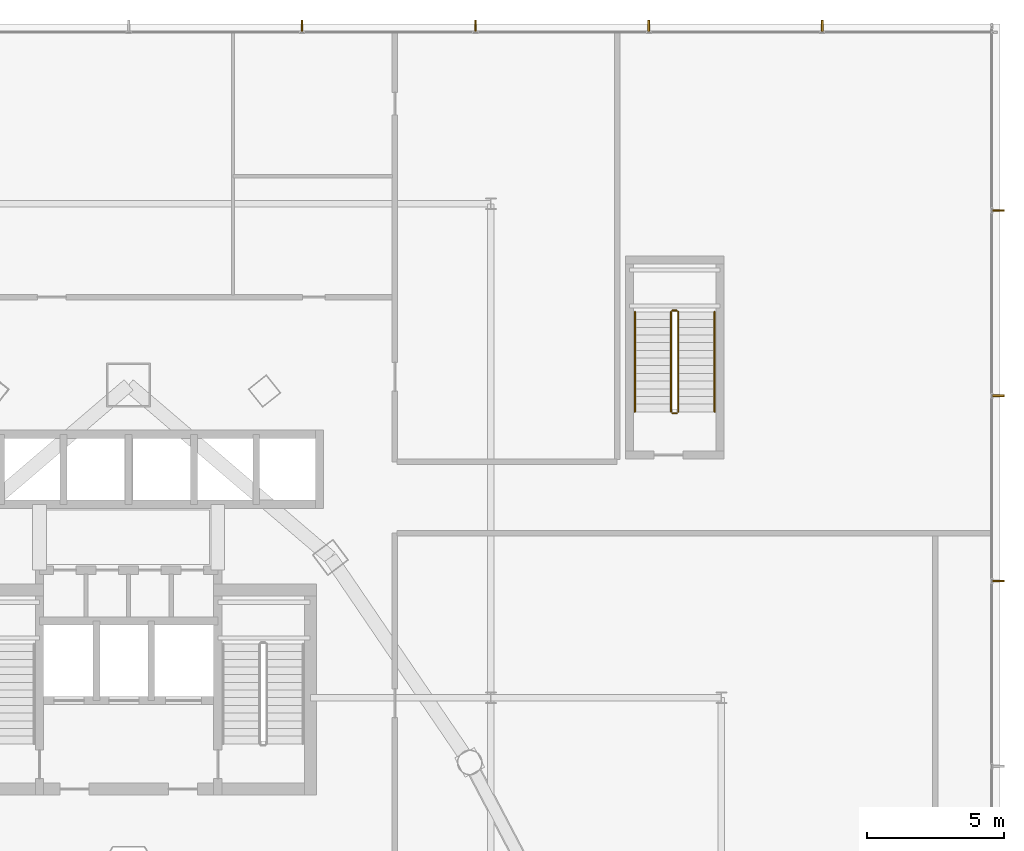
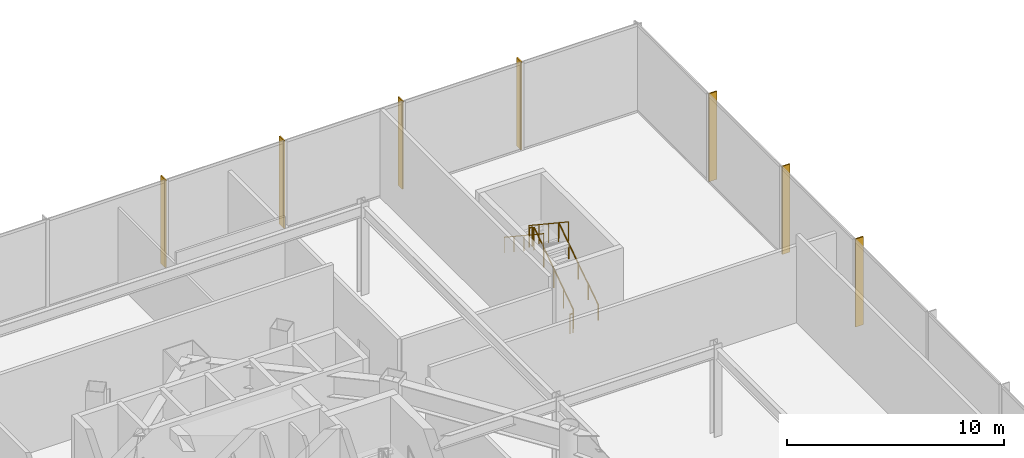
# One storey, part 43 of 43: 7 shading devices, 6 railings.
"""IFC4 building model written with IfcOpenShell, lengths in metres."""

from ifc_helpers import new_model, si_unit, direction, frame, origin, origin_2d, place, context, subcontext, project, spatial, rectangle, circle, extrude, material, layer, layer_set, type_object, element, save


model = new_model("IFC4")

# Units and contexts
model_context = context("Model", 3, precision=1e-05, world=origin(), true_north=direction((0.0, 1.0)))
body_context = subcontext(model_context, "Body", "Model", "MODEL_VIEW")
ifc_project = project(units=[si_unit("LENGTHUNIT", "METRE"), si_unit("AREAUNIT", "SQUARE_METRE"), si_unit("VOLUMEUNIT", "CUBIC_METRE"), si_unit("PLANEANGLEUNIT", "RADIAN"), si_unit("MASSUNIT", "GRAM", prefix="KILO")], contexts=[model_context])

# Site, building, storey
site_placement = place(None, origin())
site = spatial("IfcSite", under=ifc_project, at=site_placement, CompositionType="ELEMENT")
building_placement = place(site_placement, origin())
building = spatial("IfcBuilding", under=site, at=building_placement, Name="Orvanel Arch Residences", CompositionType="ELEMENT")
storey_placement = place(building_placement, frame((0.0, 0.0, 18.39990234375)))
storey = spatial("IfcBuildingStorey", under=building, at=storey_placement, Name="L04", CompositionType="ELEMENT", Elevation=18.39990234375)

# Shading devices
ifc_material_1 = material(Name="Bronze-anodised aluminium AA6063-T6", Category="aluminium")
ifc_layer = layer(ifc_material_1, 0.06494140625)
ifc_layer_set = layer_set([ifc_layer], Name="Bronze-anodised aluminium AA6063-T6")
shading_device_type = type_object("IfcShadingDeviceType", Name="FIN-BRZ-420", PredefinedType="USERDEFINED", material=ifc_layer_set)
for number, where, z_axis, x_axis, name in (
    (1, (58.27197265625, 54.489013671875, 0.0), (0.0, 0.0, 1.0), (0.0, 1.0, 0.0), "L04 Anodised Bronze Mullion FIN 01"),
    (2, (51.9541015625, 54.489013671875, 0.0), (0.0, 0.0, 1.0), (0.0, 1.0, 0.0), "L04 Anodised Bronze Mullion FIN 02"),
    (3, (45.635986328125, 54.489013671875, 0.0), (0.0, 0.0, 1.0), (0.0, 1.0, 0.0), "L04 Anodised Bronze Mullion FIN 03"),
    (4, (39.318115234375, 54.489013671875, 0.0), (0.0, 0.0, 1.0), (0.0, 1.0, 0.0), "L04 Anodised Bronze Mullion FIN 04"),
    (5, (64.68994140625, 34.251953125, 0.0), (0.0, 0.0, 1.0), (1.0, 0.0, 0.0), "L04 Anodised Bronze Mullion FIN 05"),
    (6, (64.68994140625, 41.0048828125, 0.0), (0.0, 0.0, 1.0), (1.0, 0.0, 0.0), "L04 Anodised Bronze Mullion FIN 06"),
    (7, (64.68994140625, 47.758056640625, 0.0), (0.0, 0.0, 1.0), (1.0, 0.0, 0.0), "L04 Anodised Bronze Mullion FIN 07"),
):
    element("IfcShadingDevice", number, at=place(storey_placement, frame(where, z_axis=z_axis, x_axis=x_axis)), inside=storey, type_object=shading_device_type, Name=name, ObjectType="FIN", PredefinedType="USERDEFINED", context=body_context, shape_type="SweptSolid", body=[
        extrude(rectangle(XDim=0.419921875, YDim=0.06494140625, at=origin_2d()), origin(), (0.0, 0.0, 1.0), 4.9599609375),
    ])

# Railings
ifc_material_2 = material(Name="Structural steel AS/NZS 1163 C350L0 (Grade 350)", Category="steel")
railing_type_1 = type_object("IfcRailingType", Name="RL-STAIR-GUARD", PredefinedType="GUARDRAIL", material=ifc_material_2)
railing_1_placement = place(storey_placement, frame((53.030029296875, 40.419921875, 0.185791015625)))
element("IfcRailing", 8, at=railing_1_placement, inside=storey, type_object=railing_type_1, Name="L04 ST-4 stair guard 1", PredefinedType="GUARDRAIL", context=body_context, shape_type="SweptSolid", body=[
    extrude(circle(Radius=0.02392578125, at=origin_2d()), frame((0.0, 0.001220703125, 1.076904296875), z_axis=(0.0, 0.833363587613, 0.552725185641), x_axis=(-1.0, 0.0, 0.0)), (0.0, 0.0, 1.0), 4.364990234375),
    extrude(circle(Radius=0.02099609375, at=origin_2d()), origin(), (0.0, 0.0, 1.0), 1.050048828125),
    extrude(circle(Radius=0.02099609375, at=origin_2d()), frame((0.0, 0.91015625, 0.603515625)), (0.0, 0.0, 1.0), 1.050048828125),
    extrude(circle(Radius=0.02099609375, at=origin_2d()), frame((0.0, 1.820068359375, 1.20703125)), (0.0, 0.0, 1.0), 1.050048828125),
    extrude(circle(Radius=0.02099609375, at=origin_2d()), frame((0.0, 2.72998046875, 1.810791015625)), (0.0, 0.0, 1.0), 1.050048828125),
    extrude(circle(Radius=0.02099609375, at=origin_2d()), frame((0.0, 3.64013671875, 2.414306640625)), (0.0, 0.0, 1.0), 1.050048828125),
])
railing_2_placement = place(storey_placement, frame((52.97998046875, 44.110107421875, 2.60009765625)))
element("IfcRailing", 9, at=railing_2_placement, inside=storey, type_object=railing_type_1, Name="L04 ST-4 stair guard 2", PredefinedType="GUARDRAIL", context=body_context, shape_type="SweptSolid", body=[
    extrude(circle(Radius=0.02392578125, at=origin_2d()), frame((-0.00146484375, 0.0, 1.076171875), z_axis=(-1.0, 0.0, 0.0), x_axis=(0.0, -1.0, 0.0)), (0.0, 0.0, 1.0), 0.156982421875),
    extrude(circle(Radius=0.02099609375, at=origin_2d()), origin(), (0.0, 0.0, 1.0), 1.050048828125),
    extrude(circle(Radius=0.02099609375, at=origin_2d()), frame((-0.159912109375, 0.0, 0.0)), (0.0, 0.0, 1.0), 1.050048828125),
])
railing_3_placement = place(storey_placement, frame((52.77001953125, 44.06005859375, 2.785888671875)))
element("IfcRailing", 10, at=railing_3_placement, inside=storey, type_object=railing_type_1, Name="L04 ST-4 stair guard 3", PredefinedType="GUARDRAIL", context=body_context, shape_type="SweptSolid", body=[
    extrude(circle(Radius=0.02392578125, at=origin_2d()), frame((0.0, -0.001220703125, 1.076904296875), z_axis=(0.0, -0.833363587613, 0.552725185641), x_axis=(1.0, 0.0, 0.0)), (0.0, 0.0, 1.0), 4.364990234375),
    extrude(circle(Radius=0.02099609375, at=origin_2d()), origin(), (0.0, 0.0, 1.0), 1.050048828125),
    extrude(circle(Radius=0.02099609375, at=origin_2d()), frame((0.0, -0.91015625, 0.603515625)), (0.0, 0.0, 1.0), 1.050048828125),
    extrude(circle(Radius=0.02099609375, at=origin_2d()), frame((0.0, -1.820068359375, 1.20703125)), (0.0, 0.0, 1.0), 1.050048828125),
    extrude(circle(Radius=0.02099609375, at=origin_2d()), frame((0.0, -2.72998046875, 1.810791015625)), (0.0, 0.0, 1.0), 1.050048828125),
    extrude(circle(Radius=0.02099609375, at=origin_2d()), frame((0.0, -3.64013671875, 2.414306640625)), (0.0, 0.0, 1.0), 1.050048828125),
])
railing_4_placement = place(storey_placement, frame((52.97998046875, 40.3701171875, 0.0)))
element("IfcRailing", 11, at=railing_4_placement, inside=storey, type_object=railing_type_1, Name="L04 ST-4 stair guard 4", PredefinedType="GUARDRAIL", context=body_context, shape_type="SweptSolid", body=[
    extrude(circle(Radius=0.02392578125, at=origin_2d()), frame((-0.00146484375, 0.0, 1.076171875), z_axis=(-1.0, 0.0, 0.0), x_axis=(0.0, -1.0, 0.0)), (0.0, 0.0, 1.0), 0.156982421875),
    extrude(circle(Radius=0.02099609375, at=origin_2d()), origin(), (0.0, 0.0, 1.0), 1.050048828125),
    extrude(circle(Radius=0.02099609375, at=origin_2d()), frame((-0.159912109375, 0.0, 0.0)), (0.0, 0.0, 1.0), 1.050048828125),
])
railing_type_2 = type_object("IfcRailingType", Name="RL-STAIR-HAND", PredefinedType="HANDRAIL", material=ifc_material_2)
railing_5_placement = place(storey_placement, frame((54.35009765625, 40.419921875, 0.185791015625)))
element("IfcRailing", 12, at=railing_5_placement, inside=storey, type_object=railing_type_2, Name="L04 ST-4 stair handrail 1", PredefinedType="HANDRAIL", context=body_context, shape_type="SweptSolid", body=[
    extrude(circle(Radius=0.02392578125, at=origin_2d()), frame((0.0, 0.001220703125, 0.876708984375), z_axis=(0.0, 0.833363587613, 0.552725185641), x_axis=(-1.0, 0.0, 0.0)), (0.0, 0.0, 1.0), 4.364990234375),
    extrude(circle(Radius=0.02099609375, at=origin_2d()), origin(), (0.0, 0.0, 1.0), 0.849853515625),
    extrude(circle(Radius=0.02099609375, at=origin_2d()), frame((0.0, 0.91015625, 0.603515625)), (0.0, 0.0, 1.0), 0.849853515625),
    extrude(circle(Radius=0.02099609375, at=origin_2d()), frame((0.0, 1.820068359375, 1.20703125)), (0.0, 0.0, 1.0), 0.849853515625),
    extrude(circle(Radius=0.02099609375, at=origin_2d()), frame((0.0, 2.72998046875, 1.810791015625)), (0.0, 0.0, 1.0), 0.849853515625),
    extrude(circle(Radius=0.02099609375, at=origin_2d()), frame((0.0, 3.64013671875, 2.414306640625)), (0.0, 0.0, 1.0), 0.849853515625),
])
railing_6_placement = place(storey_placement, frame((51.449951171875, 44.06005859375, 2.785888671875)))
element("IfcRailing", 13, at=railing_6_placement, inside=storey, type_object=railing_type_2, Name="L04 ST-4 stair handrail 2", PredefinedType="HANDRAIL", context=body_context, shape_type="SweptSolid", body=[
    extrude(circle(Radius=0.02392578125, at=origin_2d()), frame((0.0, -0.001220703125, 0.876708984375), z_axis=(0.0, -0.833363587613, 0.552725185641), x_axis=(1.0, 0.0, 0.0)), (0.0, 0.0, 1.0), 4.364990234375),
    extrude(circle(Radius=0.02099609375, at=origin_2d()), origin(), (0.0, 0.0, 1.0), 0.849853515625),
    extrude(circle(Radius=0.02099609375, at=origin_2d()), frame((0.0, -0.91015625, 0.603515625)), (0.0, 0.0, 1.0), 0.849853515625),
    extrude(circle(Radius=0.02099609375, at=origin_2d()), frame((0.0, -1.820068359375, 1.20703125)), (0.0, 0.0, 1.0), 0.849853515625),
    extrude(circle(Radius=0.02099609375, at=origin_2d()), frame((0.0, -2.72998046875, 1.810791015625)), (0.0, 0.0, 1.0), 0.849853515625),
    extrude(circle(Radius=0.02099609375, at=origin_2d()), frame((0.0, -3.64013671875, 2.414306640625)), (0.0, 0.0, 1.0), 0.849853515625),
])

save(model, "model.ifc")
